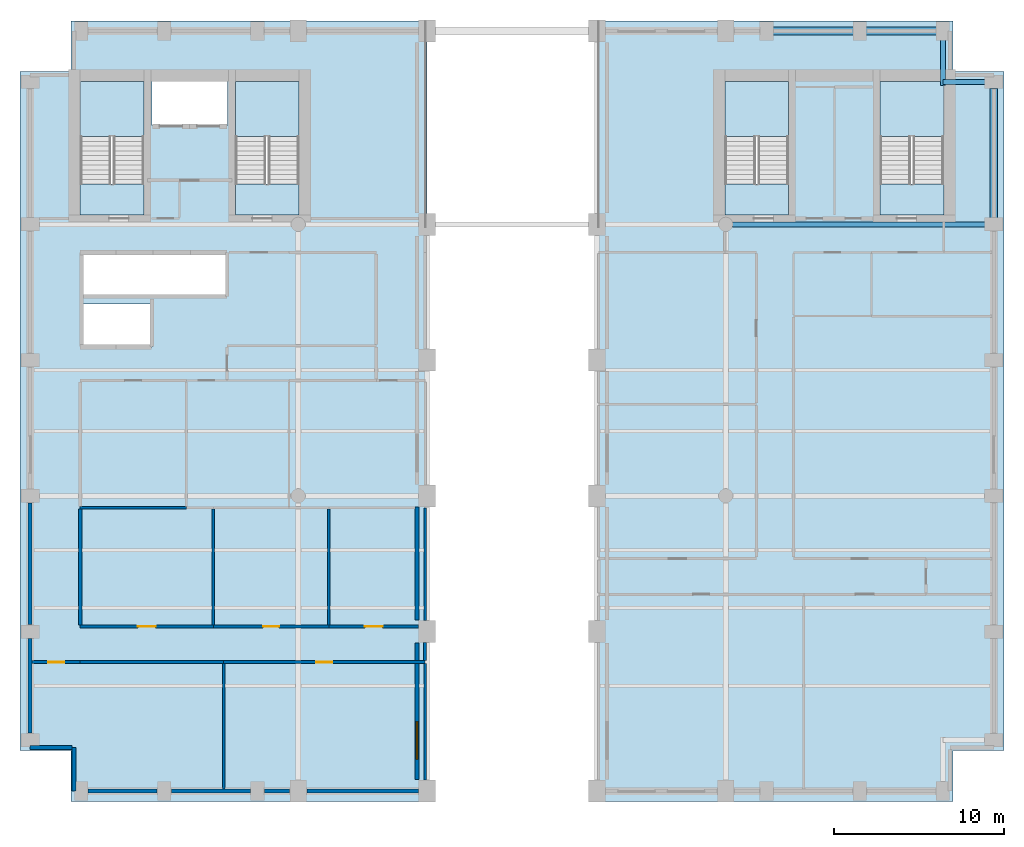
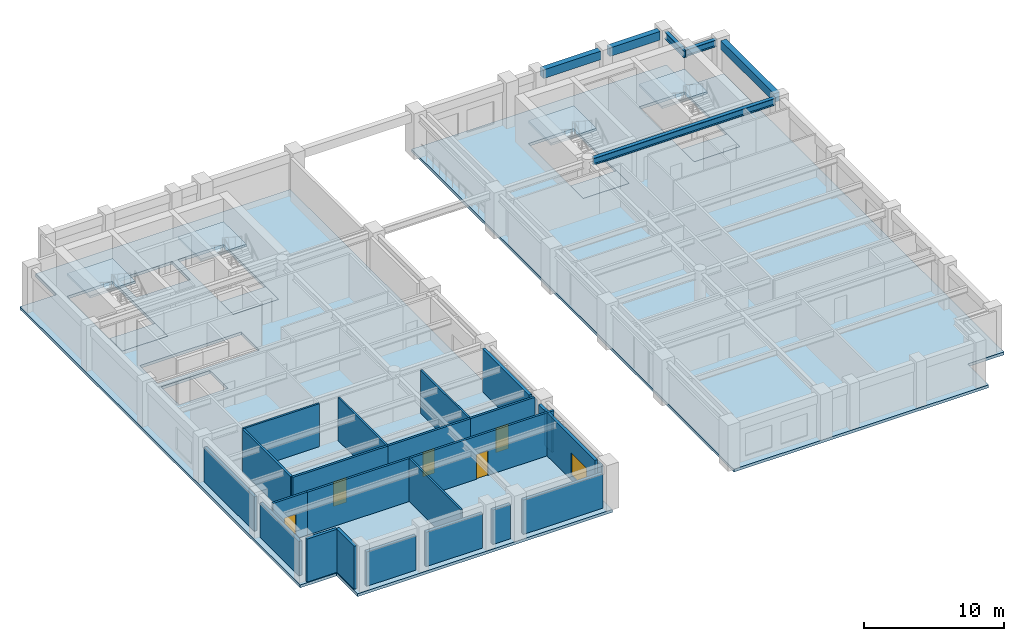
# One storey, part 2 of 8: 24 walls, 10 slabs, 6 beams, 5 doors, 1 window, 6 openings, 4 elements without a shape of their own.
"""IFC4 building model written with IfcOpenShell, lengths in metres."""

from ifc_helpers import new_model, si_unit, direction, frame, frame_2d, origin, origin_2d, place, context, subcontext, project, spatial, polyline, rectangle, i_section, outline, extrude, material, layer, layer_set, material_profile, profile_set, type_object, element, fill, aggregate, save


model = new_model("IFC4")

# Units and contexts
model_context = context("Model", 3, precision=1e-05, world=origin(), true_north=direction((0.0, 1.0)))
body_context = subcontext(model_context, "Body", "Model", "MODEL_VIEW")
ifc_project = project(units=[si_unit("LENGTHUNIT", "METRE"), si_unit("AREAUNIT", "SQUARE_METRE"), si_unit("VOLUMEUNIT", "CUBIC_METRE"), si_unit("PLANEANGLEUNIT", "RADIAN"), si_unit("MASSUNIT", "GRAM", prefix="KILO")], contexts=[model_context])

# Site, building, storey
site_placement = place(None, origin())
site = spatial("IfcSite", under=ifc_project, at=site_placement, CompositionType="ELEMENT")
building_placement = place(site_placement, origin())
building = spatial("IfcBuilding", under=site, at=building_placement, Name="Sulina Concourse Tower", CompositionType="ELEMENT")
storey_placement = place(building_placement, frame((0.0, 0.0, 194.60009765625)))
storey = spatial("IfcBuildingStorey", under=building, at=storey_placement, Name="L47", CompositionType="ELEMENT", Elevation=194.60009765625)

# Beams
ifc_material_1 = material(Name="Steel S355", Category="steel")
ifc_material_profile_1 = material_profile(ifc_material_1, i_section(OverallWidth=0.300048828125, OverallDepth=0.60009765625, WebThickness=0.015380859375, FlangeThickness=0.030029296875, at=origin_2d()), Name="HE 600 B")
ifc_profile_set_1 = profile_set([ifc_material_profile_1], Name="Steel S355")
beam_type_1 = type_object("IfcBeamType", Name="Floor Primary Girder Zone 3 HE600B", PredefinedType="BEAM", material=ifc_profile_set_1)
beam_1_placement = place(storey_placement, frame((54.39990234375, 42.39990234375, 3.449951171875), z_axis=(1.0, 0.0, 0.0), x_axis=(0.0, 1.0, 0.0)))
element("IfcBeam", 1, at=beam_1_placement, inside=storey, type_object=beam_type_1, Name="TIE-NE-L47", PredefinedType="BEAM", context=body_context, shape_type="SweptSolid", body=[
    extrude(i_section(OverallWidth=0.300048828125, OverallDepth=0.60009765625, WebThickness=0.015380859375, FlangeThickness=0.030029296875, at=origin_2d()), origin(), (0.0, 0.0, 1.0), 2.6201171875),
])
beam_2_placement = place(storey_placement, frame((54.39990234375, 42.199951171875, 3.449951171875), z_axis=(0.0, 1.0, 0.0), x_axis=(-1.0, 0.0, 0.0)))
element("IfcBeam", 2, at=beam_2_placement, inside=storey, type_object=beam_type_1, Name="TIE-NEN-L47", PredefinedType="BEAM", context=body_context, shape_type="SweptSolid", body=[
    extrude(i_section(OverallWidth=0.300048828125, OverallDepth=0.60009765625, WebThickness=0.015380859375, FlangeThickness=0.030029296875, at=origin_2d()), origin(), (0.0, 0.0, 1.0), 2.820068359375),
])
beam_3_placement = place(storey_placement, frame((42.0048828125, 34.0, 3.449951171875), z_axis=(1.0, 0.0, 0.0), x_axis=(0.0, 1.0, 0.0)))
element("IfcBeam", 3, at=beam_3_placement, inside=storey, type_object=beam_type_1, Name="FG-EWN5-L47", PredefinedType="BEAM", context=body_context, shape_type="SweptSolid", body=[
    extrude(i_section(OverallWidth=0.300048828125, OverallDepth=0.60009765625, WebThickness=0.015380859375, FlangeThickness=0.030029296875, at=origin_2d()), origin(), (0.0, 0.0, 1.0), 15.01513671875),
])
ifc_material_2 = material(Name="Precast concrete C50/60", Category="concrete")
ifc_material_profile_2 = material_profile(ifc_material_2, rectangle(XDim=0.449951171875, YDim=0.75, at=origin_2d()), Name="RC 450x750")
ifc_profile_set_2 = profile_set([ifc_material_profile_2], Name="Precast concrete C50/60")
beam_type_2 = type_object("IfcBeamType", Name="Upper Precast Spandrel Edge Beam 450x750", PredefinedType="BEAM", material=ifc_profile_set_2)
beam_4_placement = place(storey_placement, frame((44.3798828125, 45.39990234375, 3.375), z_axis=(1.0, 0.0, 0.0), x_axis=(0.0, 1.0, 0.0)))
element("IfcBeam", 4, at=beam_4_placement, inside=storey, type_object=beam_type_2, Name="SP-N8-L47", PredefinedType="BEAM", context=body_context, shape_type="SweptSolid", body=[
    extrude(rectangle(XDim=0.449951171875, YDim=0.75, at=origin_2d()), origin(), (0.0, 0.0, 1.0), 4.740234375),
])
beam_5_placement = place(storey_placement, frame((49.8798828125, 45.39990234375, 3.375), z_axis=(1.0, 0.0, 0.0), x_axis=(0.0, 1.0, 0.0)))
element("IfcBeam", 5, at=beam_5_placement, inside=storey, type_object=beam_type_2, Name="SP-N9-L47", PredefinedType="BEAM", context=body_context, shape_type="SweptSolid", body=[
    extrude(rectangle(XDim=0.449951171875, YDim=0.75, at=origin_2d()), origin(), (0.0, 0.0, 1.0), 4.14013671875),
])
beam_6_placement = place(storey_placement, frame((57.39990234375, 34.3798828125, 3.375), z_axis=(0.0, 1.0, 0.0), x_axis=(-1.0, 0.0, 0.0)))
element("IfcBeam", 6, at=beam_6_placement, inside=storey, type_object=beam_type_2, Name="SP-E5-L47", PredefinedType="BEAM", context=body_context, shape_type="SweptSolid", body=[
    extrude(rectangle(XDim=0.449951171875, YDim=0.75, at=origin_2d()), origin(), (0.0, 0.0, 1.0), 7.64013671875),
])

# Slabs
ifc_material_3 = material(Name="Concrete C50/60", Category="concrete")
ifc_layer_1 = layer(ifc_material_3, 0.25)
ifc_layer_set_1 = layer_set([ifc_layer_1], Name="Concrete C50/60")
slab_type_1 = type_object("IfcSlabType", Name="High-Rise Composite Floor Slab 250mm", PredefinedType="FLOOR", material=ifc_layer_set_1)
slab_1_placement = place(storey_placement, frame((0.0, 0.0, -0.25)))
element("IfcSlab", 7, at=slab_1_placement, inside=storey, type_object=slab_type_1, Name="L47 structural floor slab-P1", PredefinedType="FLOOR", context=body_context, shape_type="SweptSolid", body=[
    extrude(outline(polyline([(3.0, 0.0), (24.0, 0.0), (24.0, 46.0), (3.0, 46.0), (3.0, 43.0), (0.0, 43.0), (0.0, 3.0), (3.0, 3.0), (3.0, 0.0)]), holes=[polyline([(7.31005859375, 34.550048828125), (7.31005859375, 42.429931640625), (3.550048828125, 42.429931640625), (3.550048828125, 34.550048828125), (7.31005859375, 34.550048828125)]), polyline([(16.449951171875, 34.550048828125), (16.449951171875, 42.429931640625), (12.68994140625, 42.429931640625), (12.68994140625, 34.550048828125), (16.449951171875, 34.550048828125)]), polyline([(7.780029296875, 39.830078125), (12.219970703125, 39.830078125), (12.219970703125, 42.449951171875), (7.780029296875, 42.449951171875), (7.780029296875, 39.830078125)]), polyline([(3.739990234375, 26.780029296875), (7.77001953125, 26.780029296875), (7.77001953125, 29.320068359375), (3.739990234375, 29.320068359375), (3.739990234375, 26.780029296875)]), polyline([(3.739990234375, 29.780029296875), (12.10009765625, 29.780029296875), (12.10009765625, 32.3701171875), (3.739990234375, 32.3701171875), (3.739990234375, 29.780029296875)])]), origin(), (0.0, 0.0, 1.0), 0.25),
])
slab_2_placement = place(storey_placement, frame((0.0, 0.0, -0.25)))
element("IfcSlab", 8, at=slab_2_placement, inside=storey, type_object=slab_type_1, Name="L47 structural floor slab-P2", PredefinedType="FLOOR", context=body_context, shape_type="SweptSolid", body=[
    extrude(outline(polyline([(34.0, 0.0), (55.0, 0.0), (55.0, 3.0), (58.0, 3.0), (58.0, 43.0), (55.0, 43.0), (55.0, 46.0), (34.0, 46.0), (34.0, 0.0)]), holes=[polyline([(45.31005859375, 34.550048828125), (45.31005859375, 42.429931640625), (41.550048828125, 42.429931640625), (41.550048828125, 34.550048828125), (45.31005859375, 34.550048828125)]), polyline([(54.449951171875, 34.550048828125), (54.449951171875, 42.429931640625), (50.68994140625, 42.429931640625), (50.68994140625, 34.550048828125), (54.449951171875, 34.550048828125)])]), origin(), (0.0, 0.0, 1.0), 0.25),
])
ifc_material_4 = material(Name="Concrete C50/60", Category="concrete")
ifc_layer_2 = layer(ifc_material_4, 0.199951171875)
ifc_layer_set_2 = layer_set([ifc_layer_2], Name="Concrete C50/60")
slab_type_2 = type_object("IfcSlabType", Name="Primary Core Stair Landing Slab 200mm", PredefinedType="LANDING", material=ifc_layer_set_2)
slab_3_placement = place(storey_placement, frame((0.0, 0.0, -0.2001953125)))
element("IfcSlab", 9, at=slab_3_placement, inside=storey, type_object=slab_type_2, Name="L47 ST-1 floor landing slab", PredefinedType="LANDING", context=body_context, shape_type="SweptSolid", body=[
    extrude(outline(polyline([(7.31005859375, 34.550048828125), (7.31005859375, 36.375), (3.550048828125, 36.375), (3.550048828125, 34.550048828125), (7.31005859375, 34.550048828125)])), origin(), (0.0, 0.0, 1.0), 0.2001953125),
])
slab_4_placement = place(storey_placement, frame((0.0, 0.0, -0.2001953125)))
element("IfcSlab", 10, at=slab_4_placement, inside=storey, type_object=slab_type_2, Name="L47 ST-2 floor landing slab", PredefinedType="LANDING", context=body_context, shape_type="SweptSolid", body=[
    extrude(outline(polyline([(16.449951171875, 34.550048828125), (16.449951171875, 36.375), (12.68994140625, 36.375), (12.68994140625, 34.550048828125), (16.449951171875, 34.550048828125)])), origin(), (0.0, 0.0, 1.0), 0.2001953125),
])
slab_5_placement = place(storey_placement, frame((0.0, 0.0, -0.2001953125)))
element("IfcSlab", 11, at=slab_5_placement, inside=storey, type_object=slab_type_2, Name="L47 ST-3 floor landing slab", PredefinedType="LANDING", context=body_context, shape_type="SweptSolid", body=[
    extrude(outline(polyline([(45.31005859375, 34.550048828125), (45.31005859375, 36.375), (41.550048828125, 36.375), (41.550048828125, 34.550048828125), (45.31005859375, 34.550048828125)])), origin(), (0.0, 0.0, 1.0), 0.2001953125),
])
slab_6_placement = place(storey_placement, frame((0.0, 0.0, -0.2001953125)))
element("IfcSlab", 12, at=slab_6_placement, inside=storey, type_object=slab_type_2, Name="L47 ST-4 floor landing slab", PredefinedType="LANDING", context=body_context, shape_type="SweptSolid", body=[
    extrude(outline(polyline([(54.449951171875, 34.550048828125), (54.449951171875, 36.375), (50.68994140625, 36.375), (50.68994140625, 34.550048828125), (54.449951171875, 34.550048828125)])), origin(), (0.0, 0.0, 1.0), 0.2001953125),
])

# Stair, slab
ifc_material_5 = material(Name="Concrete C50/60", Category="concrete")
stair_type_1 = type_object("IfcStairType", Name="Primary Core Dog-Leg Exit Stair 1800mm", PredefinedType="HALF_TURN_STAIR", material=ifc_material_5)
stair_1_placement = place(storey_placement, origin())
stair_1 = element("IfcStair", 13, at=stair_1_placement, inside=storey, type_object=stair_type_1, Name="L47 ST-1", PredefinedType="HALF_TURN_STAIR")
slab_7_placement = place(storey_placement, frame((0.0, 0.0, 1.7998046875)))
slab_7 = element("IfcSlab", 14, at=slab_7_placement, type_object=slab_type_2, Name="ST-1 landing 1", PredefinedType="LANDING", context=body_context, shape_type="SweptSolid", body=[
    extrude(outline(polyline([(7.304931640625, 39.175048828125), (7.304931640625, 42.425048828125), (3.554931640625, 42.425048828125), (3.554931640625, 39.175048828125), (7.304931640625, 39.175048828125)])), origin(), (0.0, 0.0, 1.0), 0.2001953125),
])
aggregate(stair_1, [slab_7])

stair_2_placement = place(storey_placement, origin())
stair_2 = element("IfcStair", 15, at=stair_2_placement, inside=storey, type_object=stair_type_1, Name="L47 ST-2", PredefinedType="HALF_TURN_STAIR")
slab_8_placement = place(storey_placement, frame((0.0, 0.0, 1.7998046875)))
slab_8 = element("IfcSlab", 16, at=slab_8_placement, type_object=slab_type_2, Name="ST-2 landing 1", PredefinedType="LANDING", context=body_context, shape_type="SweptSolid", body=[
    extrude(outline(polyline([(16.445068359375, 39.175048828125), (16.445068359375, 42.425048828125), (12.695068359375, 42.425048828125), (12.695068359375, 39.175048828125), (16.445068359375, 39.175048828125)])), origin(), (0.0, 0.0, 1.0), 0.2001953125),
])
aggregate(stair_2, [slab_8])

ifc_material_6 = material(Name="Concrete C50/60", Category="concrete")
stair_type_2 = type_object("IfcStairType", Name="Portal & Podium Core Exit Stair 1820mm", PredefinedType="HALF_TURN_STAIR", material=ifc_material_6)
stair_3_placement = place(storey_placement, origin())
stair_3 = element("IfcStair", 17, at=stair_3_placement, inside=storey, type_object=stair_type_2, Name="L47 ST-3", PredefinedType="HALF_TURN_STAIR")
slab_9_placement = place(storey_placement, frame((0.0, 0.0, 1.7998046875)))
slab_9 = element("IfcSlab", 18, at=slab_9_placement, type_object=slab_type_2, Name="ST-3 landing 1", PredefinedType="LANDING", context=body_context, shape_type="SweptSolid", body=[
    extrude(outline(polyline([(45.304931640625, 39.175048828125), (45.304931640625, 42.425048828125), (41.554931640625, 42.425048828125), (41.554931640625, 39.175048828125), (45.304931640625, 39.175048828125)])), origin(), (0.0, 0.0, 1.0), 0.2001953125),
])
aggregate(stair_3, [slab_9])

stair_4_placement = place(storey_placement, origin())
stair_4 = element("IfcStair", 19, at=stair_4_placement, inside=storey, type_object=stair_type_2, Name="L47 ST-4", PredefinedType="HALF_TURN_STAIR")
slab_10_placement = place(storey_placement, frame((0.0, 0.0, 1.7998046875)))
slab_10 = element("IfcSlab", 20, at=slab_10_placement, type_object=slab_type_2, Name="ST-4 landing 1", PredefinedType="LANDING", context=body_context, shape_type="SweptSolid", body=[
    extrude(outline(polyline([(54.445068359375, 39.175048828125), (54.445068359375, 42.425048828125), (50.695068359375, 42.425048828125), (50.695068359375, 39.175048828125), (54.445068359375, 39.175048828125)])), origin(), (0.0, 0.0, 1.0), 0.2001953125),
])
aggregate(stair_4, [slab_10])

# Walls
ifc_material_7 = material(Name="Precast concrete C50/60", Category="concrete")
ifc_layer_3 = layer(ifc_material_7, 0.239990234375)
ifc_layer_set_3 = layer_set([ifc_layer_3], Name="Precast concrete C50/60")
wall_type_1 = type_object("IfcWallType", Name="Crown Precast Masonry-Frame Facade Wall 240mm", PredefinedType="SOLIDWALL", material=ifc_layer_set_3)
wall_1_placement = place(storey_placement, frame((8.080078125, 0.60009765625, 0.0), z_axis=(0.0, 0.0, 1.0), x_axis=(-1.0, 0.0, 0.0)))
element("IfcWall", 21, at=wall_1_placement, inside=storey, type_object=wall_type_1, Name="L47 exterior precast wall S1", PredefinedType="SOLIDWALL", context=body_context, shape_type="SweptSolid", body=[
    extrude(rectangle(XDim=4.06005859375, YDim=0.239990234375, at=frame_2d((2.030029296875, 0.0))), origin(), (0.0, 0.0, 1.0), 3.0),
])
wall_2_placement = place(storey_placement, frame((13.580078125, 0.60009765625, 0.0), z_axis=(0.0, 0.0, 1.0), x_axis=(-1.0, 0.0, 0.0)))
element("IfcWall", 22, at=wall_2_placement, inside=storey, type_object=wall_type_1, Name="L47 exterior precast wall S2", PredefinedType="SOLIDWALL", context=body_context, shape_type="SweptSolid", body=[
    extrude(rectangle(XDim=4.66015625, YDim=0.239990234375, at=frame_2d((2.330078125, 0.0))), origin(), (0.0, 0.0, 1.0), 3.0),
])
wall_3_placement = place(storey_placement, frame((15.8798828125, 0.60009765625, 0.0), z_axis=(0.0, 0.0, 1.0), x_axis=(-1.0, 0.0, 0.0)))
element("IfcWall", 23, at=wall_3_placement, inside=storey, type_object=wall_type_1, Name="L47 exterior precast wall S3", PredefinedType="SOLIDWALL", context=body_context, shape_type="SweptSolid", body=[
    extrude(rectangle(XDim=1.4599609375, YDim=0.239990234375, at=frame_2d((0.72998046875, 0.0))), origin(), (0.0, 0.0, 1.0), 3.0),
])
wall_4_placement = place(storey_placement, frame((23.47998046875, 0.60009765625, 0.0), z_axis=(0.0, 0.0, 1.0), x_axis=(-1.0, 0.0, 0.0)))
element("IfcWall", 24, at=wall_4_placement, inside=storey, type_object=wall_type_1, Name="L47 exterior precast wall S4", PredefinedType="SOLIDWALL", context=body_context, shape_type="SweptSolid", body=[
    extrude(rectangle(XDim=6.56005859375, YDim=0.239990234375, at=frame_2d((3.280029296875, 0.0))), origin(), (0.0, 0.0, 1.0), 3.0),
])
wall_5_placement = place(storey_placement, frame((0.60009765625, 4.02001953125, 0.0), z_axis=(0.0, 0.0, 1.0), x_axis=(0.0, 1.0, 0.0)))
element("IfcWall", 25, at=wall_5_placement, inside=storey, type_object=wall_type_1, Name="L47 exterior precast wall W1", PredefinedType="SOLIDWALL", context=body_context, shape_type="SweptSolid", body=[
    extrude(rectangle(XDim=5.56005859375, YDim=0.239990234375, at=frame_2d((2.780029296875, 0.0))), origin(), (0.0, 0.0, 1.0), 3.0),
])
wall_6_placement = place(storey_placement, frame((0.60009765625, 10.419921875, 0.0), z_axis=(0.0, 0.0, 1.0), x_axis=(0.0, 1.0, 0.0)))
element("IfcWall", 26, at=wall_6_placement, inside=storey, type_object=wall_type_1, Name="L47 exterior precast wall W2", PredefinedType="SOLIDWALL", context=body_context, shape_type="SweptSolid", body=[
    extrude(rectangle(XDim=7.16015625, YDim=0.239990234375, at=frame_2d((3.580078125, 0.0))), origin(), (0.0, 0.0, 1.0), 3.0),
])
wall_7_placement = place(storey_placement, frame((3.179931640625, 0.60009765625, 0.0), z_axis=(0.0, 0.0, 1.0), x_axis=(0.0, 1.0, 0.0)))
element("IfcWall", 27, at=wall_7_placement, inside=storey, type_object=wall_type_1, Name="L47 exterior precast wall CSW1", PredefinedType="SOLIDWALL", context=body_context, shape_type="SweptSolid", body=[
    extrude(rectangle(XDim=2.579833984375, YDim=0.239990234375, at=frame_2d((1.2900390625, 0.0))), origin(), (0.0, 0.0, 1.0), 3.75),
])
wall_8_placement = place(storey_placement, frame((3.054931640625, 3.179931640625, 0.0), z_axis=(0.0, 0.0, 1.0), x_axis=(-1.0, 0.0, 0.0)))
element("IfcWall", 28, at=wall_8_placement, inside=storey, type_object=wall_type_1, Name="L47 exterior precast wall CSW2", PredefinedType="SOLIDWALL", context=body_context, shape_type="SweptSolid", body=[
    extrude(rectangle(XDim=2.454833984375, YDim=0.239990234375, at=frame_2d((1.2275390625, 0.0))), origin(), (0.0, 0.0, 1.0), 3.75),
])

# Wall, opening, window
wall_9_placement = place(storey_placement, frame((23.39990234375, 9.330078125, 0.0), z_axis=(0.0, 0.0, 1.0), x_axis=(0.0, -1.0, 0.0)))
wall_9 = element("IfcWall", 29, at=wall_9_placement, inside=storey, type_object=wall_type_1, Name="L47 exterior precast wall PW1", PredefinedType="SOLIDWALL", context=body_context, shape_type="SweptSolid", body=[
    extrude(rectangle(XDim=8.06005859375, YDim=0.239990234375, at=frame_2d((4.030029296875, 0.0))), origin(), (0.0, 0.0, 1.0), 3.75),
])
opening_1_placement = place(wall_9_placement, frame((4.639892578125, 0.0, 0.419921875)))
opening_1 = element("IfcOpeningElement", 30, at=opening_1_placement, cuts=wall_9, Name="Opening WN-76", PredefinedType="OPENING", context=body_context, shape_type="SweptSolid", body=[
    extrude(rectangle(XDim=2.199951171875, YDim=1.949951171875, at=frame_2d((1.10009765625, 0.97509765625))), frame((0.0, 0.1298828125, 0.0), z_axis=(0.0, -1.0, 0.0), x_axis=(1.0, 0.0, 0.0)), (0.0, 0.0, 1.0), 0.260009765625),
])
ifc_material_8 = material(Name="Low-E solar double glazing in bronze aluminium", Category="aluminium")
window_type = type_object("IfcWindowType", Name="Recessed Spandrel Window 2200x1950", PartitioningType="DOUBLE_PANEL_VERTICAL", PredefinedType="WINDOW", material=ifc_material_8)
window_placement = place(opening_1_placement, origin())
window = element("IfcWindow", 31, at=window_placement, inside=storey, type_object=window_type, Name="L47 punched window PW1-1", OverallHeight=1.949951171875, OverallWidth=2.199951171875, PartitioningType="SINGLE_PANEL", PredefinedType="WINDOW", context=body_context, shape_type="SweptSolid", body=[
    extrude(rectangle(XDim=2.199951171875, YDim=1.949951171875, at=frame_2d((1.10009765625, 0.97509765625))), frame((0.0, 0.030029296875, 0.0), z_axis=(0.0, -1.0, 0.0), x_axis=(1.0, 0.0, 0.0)), (0.0, 0.0, 1.0), 0.06005859375),
])
fill(opening_1, window)

# Walls
wall_10_placement = place(storey_placement, frame((23.39990234375, 17.330078125, 0.0), z_axis=(0.0, 0.0, 1.0), x_axis=(0.0, -1.0, 0.0)))
element("IfcWall", 32, at=wall_10_placement, inside=storey, type_object=wall_type_1, Name="L47 exterior precast wall PW2", PredefinedType="SOLIDWALL", context=body_context, shape_type="SweptSolid", body=[
    extrude(rectangle(XDim=6.66015625, YDim=0.239990234375, at=frame_2d((3.330078125, 0.0))), origin(), (0.0, 0.0, 1.0), 3.75),
])
ifc_material_9 = material(Name="Gypsum board on steel stud", Category="steel")
ifc_layer_4 = layer(ifc_material_9, 0.14990234375)
ifc_layer_set_4 = layer_set([ifc_layer_4], Name="Gypsum board on steel stud")
wall_type_2 = type_object("IfcWallType", Name="Inter-Tenancy Acoustic Partition 150mm", PredefinedType="PARTITIONING", material=ifc_layer_set_4)
wall_11_placement = place(storey_placement, frame((3.550048828125, 17.300048828125, 0.0), z_axis=(0.0, 0.0, 1.0), x_axis=(1.0, 0.0, 0.0)))
element("IfcWall", 33, at=wall_11_placement, inside=storey, type_object=wall_type_2, Name="L47 interior partition 013", PredefinedType="PARTITIONING", context=body_context, shape_type="SweptSolid", body=[
    extrude(rectangle(XDim=6.25, YDim=0.14990234375, at=frame_2d((3.125, 0.0))), origin(), (0.0, 0.0, 1.0), 3.75),
])
wall_12_placement = place(storey_placement, frame((11.39990234375, 10.389892578125, 0.0), z_axis=(0.0, 0.0, 1.0), x_axis=(0.0, 1.0, 0.0)))
element("IfcWall", 34, at=wall_12_placement, inside=storey, type_object=wall_type_2, Name="L47 interior partition 043", PredefinedType="PARTITIONING", context=body_context, shape_type="SweptSolid", body=[
    extrude(rectangle(XDim=6.84765625, YDim=0.14990234375, at=frame_2d((3.423828125, 0.0))), origin(), (0.0, 0.0, 1.0), 3.75),
])
wall_13_placement = place(storey_placement, frame((12.0, 0.719970703125, 0.0), z_axis=(0.0, 0.0, 1.0), x_axis=(0.0, 1.0, 0.0)))
element("IfcWall", 35, at=wall_13_placement, inside=storey, type_object=wall_type_2, Name="L47 interior partition 044", PredefinedType="PARTITIONING", context=body_context, shape_type="SweptSolid", body=[
    extrude(rectangle(XDim=7.39013671875, YDim=0.14990234375, at=frame_2d((3.695068359375, 0.0))), origin(), (0.0, 0.0, 1.0), 3.75),
])
wall_14_placement = place(storey_placement, frame((18.199951171875, 10.389892578125, 0.0), z_axis=(0.0, 0.0, 1.0), x_axis=(0.0, 1.0, 0.0)))
element("IfcWall", 36, at=wall_14_placement, inside=storey, type_object=wall_type_2, Name="L47 interior partition 047", PredefinedType="PARTITIONING", context=body_context, shape_type="SweptSolid", body=[
    extrude(rectangle(XDim=6.835205078125, YDim=0.14990234375, at=frame_2d((3.41748046875, 0.0))), origin(), (0.0, 0.0, 1.0), 3.75),
])
wall_15_placement = place(storey_placement, frame((23.8798828125, 1.25, 0.0), z_axis=(0.0, 0.0, 1.0), x_axis=(0.0, 1.0, 0.0)))
element("IfcWall", 37, at=wall_15_placement, inside=storey, type_object=wall_type_2, Name="L47 interior partition 050", PredefinedType="PARTITIONING", context=body_context, shape_type="SweptSolid", body=[
    extrude(rectangle(XDim=6.860107421875, YDim=0.14990234375, at=frame_2d((3.43017578125, 0.0))), origin(), (0.0, 0.0, 1.0), 3.14501953125),
])
wall_16_placement = place(storey_placement, frame((23.8798828125, 10.64990234375, 0.0), z_axis=(0.0, 0.0, 1.0), x_axis=(0.0, 1.0, 0.0)))
element("IfcWall", 38, at=wall_16_placement, inside=storey, type_object=wall_type_2, Name="L47 interior partition 052", PredefinedType="PARTITIONING", context=body_context, shape_type="SweptSolid", body=[
    extrude(rectangle(XDim=6.650146484375, YDim=0.14990234375, at=frame_2d((3.3251953125, 0.0))), origin(), (0.0, 0.0, 1.0), 3.14501953125),
])

# Wall, opening, door
ifc_material_10 = material(Name="Gypsum board on steel stud", Category="steel")
ifc_layer_5 = layer(ifc_material_10, 0.179931640625)
ifc_layer_set_5 = layer_set([ifc_layer_5], Name="Gypsum board on steel stud")
wall_type_3 = type_object("IfcWallType", Name="Protected Corridor & Riser Partition 180mm", PredefinedType="PARTITIONING", material=ifc_layer_set_5)
wall_17_placement = place(storey_placement, frame((0.719970703125, 8.199951171875, 0.0), z_axis=(0.0, 0.0, 1.0), x_axis=(1.0, 0.0, 0.0)))
wall_17 = element("IfcWall", 39, at=wall_17_placement, inside=storey, type_object=wall_type_3, Name="L47 interior partition 001", PredefinedType="PARTITIONING", context=body_context, shape_type="SweptSolid", body=[
    extrude(rectangle(XDim=2.830078125, YDim=0.179931640625, at=frame_2d((1.4150390625, 0.0))), origin(), (0.0, 0.0, 1.0), 3.75),
])
opening_2_placement = place(wall_17_placement, frame((0.93994140625, 0.0, 0.0)))
opening_2 = element("IfcOpeningElement", 40, at=opening_2_placement, cuts=wall_17, Name="Opening DR-19", PredefinedType="OPENING", context=body_context, shape_type="SweptSolid", body=[
    extrude(rectangle(XDim=0.949951171875, YDim=2.14990234375, at=frame_2d((0.47509765625, 1.074951171875))), frame((0.0, 0.099853515625, 0.0), z_axis=(0.0, -1.0, 0.0), x_axis=(1.0, 0.0, 0.0)), (0.0, 0.0, 1.0), 0.199951171875),
])
ifc_material_11 = material(Name="Oak-veneered acoustic timber leaf", Category="wood")
ifc_layer_6 = layer(ifc_material_11, 0.050048828125)
ifc_layer_set_6 = layer_set([ifc_layer_6], Name="Oak-veneered acoustic timber leaf")
door_type_1 = type_object("IfcDoorType", Name="Cellular Office & Meeting Door 950x2150", OperationType="NOTDEFINED", PredefinedType="DOOR", material=ifc_layer_set_6)
door_1_placement = place(opening_2_placement, origin())
door_1 = element("IfcDoor", 41, at=door_1_placement, inside=storey, type_object=door_type_1, Name="L47 interior door L47-SHW-WU1", OperationType="SINGLE_SWING_LEFT", OverallHeight=2.14990234375, OverallWidth=0.949951171875, PredefinedType="DOOR", context=body_context, shape_type="SweptSolid", body=[
    extrude(rectangle(XDim=0.949951171875, YDim=2.14990234375, at=frame_2d((0.47509765625, 1.074951171875))), frame((0.0, 0.02490234375, 0.0), z_axis=(0.0, -1.0, 0.0), x_axis=(1.0, 0.0, 0.0)), (0.0, 0.0, 1.0), 0.050048828125),
])
fill(opening_2, door_1)

# Wall
wall_18_placement = place(storey_placement, frame((3.550048828125, 8.199951171875, 0.0), z_axis=(0.0, 0.0, 1.0), x_axis=(1.0, 0.0, 0.0)))
element("IfcWall", 42, at=wall_18_placement, inside=storey, type_object=wall_type_3, Name="L47 interior partition 002", PredefinedType="PARTITIONING", context=body_context, shape_type="SweptSolid", body=[
    extrude(rectangle(XDim=8.449951171875, YDim=0.179931640625, at=frame_2d((4.22509765625, 0.0))), origin(), (0.0, 0.0, 1.0), 3.75),
])

# Wall, opening, door
wall_19_placement = place(storey_placement, frame((12.0, 8.199951171875, 0.0), z_axis=(0.0, 0.0, 1.0), x_axis=(1.0, 0.0, 0.0)))
wall_19 = element("IfcWall", 43, at=wall_19_placement, inside=storey, type_object=wall_type_3, Name="L47 interior partition 003", PredefinedType="PARTITIONING", context=body_context, shape_type="SweptSolid", body=[
    extrude(rectangle(XDim=11.8798828125, YDim=0.179931640625, at=frame_2d((5.93994140625, 0.0))), origin(), (0.0, 0.0, 1.0), 3.75),
])
opening_3_placement = place(wall_19_placement, frame((5.465087890625, 0.0, 0.0)))
opening_3 = element("IfcOpeningElement", 44, at=opening_3_placement, cuts=wall_19, Name="Opening DR-19", PredefinedType="OPENING", context=body_context, shape_type="SweptSolid", body=[
    extrude(rectangle(XDim=0.949951171875, YDim=2.14990234375, at=frame_2d((0.47509765625, 1.074951171875))), frame((0.0, 0.099853515625, 0.0), z_axis=(0.0, -1.0, 0.0), x_axis=(1.0, 0.0, 0.0)), (0.0, 0.0, 1.0), 0.199951171875),
])
door_2_placement = place(opening_3_placement, origin())
door_2 = element("IfcDoor", 45, at=door_2_placement, inside=storey, type_object=door_type_1, Name="L47 interior door L47-REC-WU1", OperationType="SINGLE_SWING_RIGHT", OverallHeight=2.14990234375, OverallWidth=0.949951171875, PredefinedType="DOOR", context=body_context, shape_type="SweptSolid", body=[
    extrude(rectangle(XDim=0.949951171875, YDim=2.14990234375, at=frame_2d((0.47509765625, 1.074951171875))), frame((0.0, 0.02490234375, 0.0), z_axis=(0.0, -1.0, 0.0), x_axis=(1.0, 0.0, 0.0)), (0.0, 0.0, 1.0), 0.050048828125),
])
fill(opening_3, door_2)

wall_20_placement = place(storey_placement, frame((3.550048828125, 10.300048828125, 0.0), z_axis=(0.0, 0.0, 1.0), x_axis=(1.0, 0.0, 0.0)))
wall_20 = element("IfcWall", 46, at=wall_20_placement, inside=storey, type_object=wall_type_3, Name="L47 interior partition 004", PredefinedType="PARTITIONING", context=body_context, shape_type="SweptSolid", body=[
    extrude(rectangle(XDim=7.849853515625, YDim=0.179931640625, at=frame_2d((3.9248046875, 0.0))), origin(), (0.0, 0.0, 1.0), 3.75),
])
opening_4_placement = place(wall_20_placement, frame((3.39990234375, 0.0, 0.0)))
opening_4 = element("IfcOpeningElement", 47, at=opening_4_placement, cuts=wall_20, Name="Opening DR-37", PredefinedType="OPENING", context=body_context, shape_type="SweptSolid", body=[
    extrude(rectangle(XDim=1.050048828125, YDim=2.14990234375, at=frame_2d((0.52490234375, 1.074951171875))), frame((0.0, 0.099853515625, 0.0), z_axis=(0.0, -1.0, 0.0), x_axis=(1.0, 0.0, 0.0)), (0.0, 0.0, 1.0), 0.199951171875),
])
ifc_material_12 = material(Name="Oak-veneered fire door leaf")
ifc_layer_7 = layer(ifc_material_12, 0.050048828125)
ifc_layer_set_7 = layer_set([ifc_layer_7], Name="Oak-veneered fire door leaf")
door_type_2 = type_object("IfcDoorType", Name="Tenant Suite Entrance Fire Door 1050x2150", OperationType="NOTDEFINED", PredefinedType="DOOR", material=ifc_layer_set_7)
door_3_placement = place(opening_4_placement, origin())
door_3 = element("IfcDoor", 48, at=door_3_placement, inside=storey, type_object=door_type_2, Name="L47 interior door L47-OFF-WU1", OperationType="SINGLE_SWING_LEFT", OverallHeight=2.14990234375, OverallWidth=1.050048828125, PredefinedType="DOOR", context=body_context, shape_type="SweptSolid", body=[
    extrude(rectangle(XDim=1.050048828125, YDim=2.14990234375, at=frame_2d((0.52490234375, 1.074951171875))), frame((0.0, 0.02490234375, 0.0), z_axis=(0.0, -1.0, 0.0), x_axis=(1.0, 0.0, 0.0)), (0.0, 0.0, 1.0), 0.050048828125),
])
fill(opening_4, door_3)

wall_21_placement = place(storey_placement, frame((11.39990234375, 10.300048828125, 0.0), z_axis=(0.0, 0.0, 1.0), x_axis=(1.0, 0.0, 0.0)))
wall_21 = element("IfcWall", 49, at=wall_21_placement, inside=storey, type_object=wall_type_3, Name="L47 interior partition 005", PredefinedType="PARTITIONING", context=body_context, shape_type="SweptSolid", body=[
    extrude(rectangle(XDim=6.800048828125, YDim=0.179931640625, at=frame_2d((3.39990234375, 0.0))), origin(), (0.0, 0.0, 1.0), 3.75),
])
opening_5_placement = place(wall_21_placement, frame((2.925048828125, 0.0, 0.0)))
opening_5 = element("IfcOpeningElement", 50, at=opening_5_placement, cuts=wall_21, Name="Opening DR-19", PredefinedType="OPENING", context=body_context, shape_type="SweptSolid", body=[
    extrude(rectangle(XDim=0.949951171875, YDim=2.14990234375, at=frame_2d((0.47509765625, 1.074951171875))), frame((0.0, 0.099853515625, 0.0), z_axis=(0.0, -1.0, 0.0), x_axis=(1.0, 0.0, 0.0)), (0.0, 0.0, 1.0), 0.199951171875),
])
door_4_placement = place(opening_5_placement, origin())
door_4 = element("IfcDoor", 51, at=door_4_placement, inside=storey, type_object=door_type_1, Name="L47 interior door L47-MTG-WU1", OperationType="SINGLE_SWING_RIGHT", OverallHeight=2.14990234375, OverallWidth=0.949951171875, PredefinedType="DOOR", context=body_context, shape_type="SweptSolid", body=[
    extrude(rectangle(XDim=0.949951171875, YDim=2.14990234375, at=frame_2d((0.47509765625, 1.074951171875))), frame((0.0, 0.02490234375, 0.0), z_axis=(0.0, -1.0, 0.0), x_axis=(1.0, 0.0, 0.0)), (0.0, 0.0, 1.0), 0.050048828125),
])
fill(opening_5, door_4)

wall_22_placement = place(storey_placement, frame((18.199951171875, 10.300048828125, 0.0), z_axis=(0.0, 0.0, 1.0), x_axis=(1.0, 0.0, 0.0)))
wall_22 = element("IfcWall", 52, at=wall_22_placement, inside=storey, type_object=wall_type_3, Name="L47 interior partition 006", PredefinedType="PARTITIONING", context=body_context, shape_type="SweptSolid", body=[
    extrude(rectangle(XDim=5.300048828125, YDim=0.179931640625, at=frame_2d((2.64990234375, 0.0))), origin(), (0.0, 0.0, 1.0), 3.75),
])
opening_6_placement = place(wall_22_placement, frame((2.125, 0.0, 0.0)))
opening_6 = element("IfcOpeningElement", 53, at=opening_6_placement, cuts=wall_22, Name="Opening DR-37", PredefinedType="OPENING", context=body_context, shape_type="SweptSolid", body=[
    extrude(rectangle(XDim=1.050048828125, YDim=2.14990234375, at=frame_2d((0.52490234375, 1.074951171875))), frame((0.0, 0.099853515625, 0.0), z_axis=(0.0, -1.0, 0.0), x_axis=(1.0, 0.0, 0.0)), (0.0, 0.0, 1.0), 0.199951171875),
])
door_5_placement = place(opening_6_placement, origin())
door_5 = element("IfcDoor", 54, at=door_5_placement, inside=storey, type_object=door_type_2, Name="L47 interior door L47-PNT-WU1", OperationType="SINGLE_SWING_LEFT", OverallHeight=2.14990234375, OverallWidth=1.050048828125, PredefinedType="DOOR", context=body_context, shape_type="SweptSolid", body=[
    extrude(rectangle(XDim=1.050048828125, YDim=2.14990234375, at=frame_2d((0.52490234375, 1.074951171875))), frame((0.0, 0.02490234375, 0.0), z_axis=(0.0, -1.0, 0.0), x_axis=(1.0, 0.0, 0.0)), (0.0, 0.0, 1.0), 0.050048828125),
])
fill(opening_6, door_5)

# Walls
wall_23_placement = place(storey_placement, frame((3.550048828125, 10.389892578125, 0.0), z_axis=(0.0, 0.0, 1.0), x_axis=(0.0, 1.0, 0.0)))
element("IfcWall", 55, at=wall_23_placement, inside=storey, type_object=wall_type_3, Name="L47 interior partition 039", PredefinedType="PARTITIONING", context=body_context, shape_type="SweptSolid", body=[
    extrude(rectangle(XDim=6.835205078125, YDim=0.179931640625, at=frame_2d((3.41748046875, 0.0))), origin(), (0.0, 0.0, 1.0), 3.75),
])
wall_24_placement = place(storey_placement, frame((23.8798828125, 8.2900390625, 0.0), z_axis=(0.0, 0.0, 1.0), x_axis=(0.0, 1.0, 0.0)))
element("IfcWall", 56, at=wall_24_placement, inside=storey, type_object=wall_type_3, Name="L47 interior partition 051", PredefinedType="PARTITIONING", context=body_context, shape_type="SweptSolid", body=[
    extrude(rectangle(XDim=1.06005859375, YDim=0.179931640625, at=frame_2d((0.530029296875, 0.0))), origin(), (0.0, 0.0, 1.0), 3.14501953125),
])

save(model, "model.ifc")
